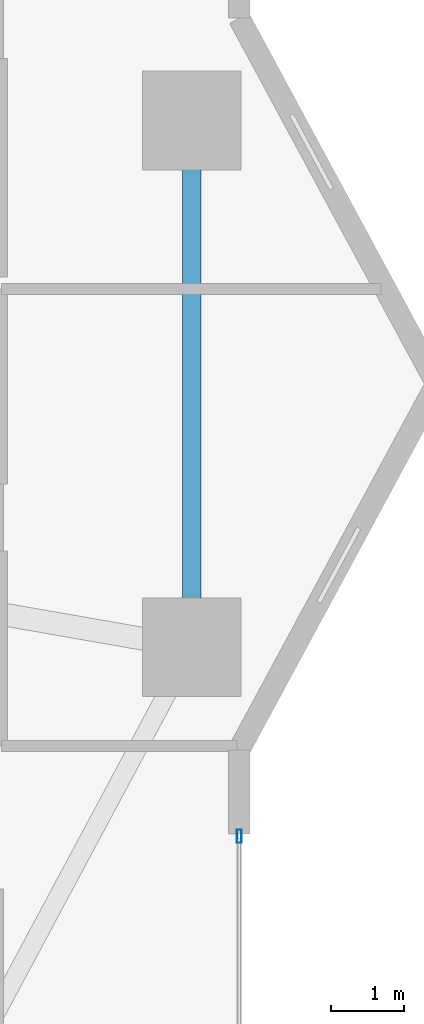
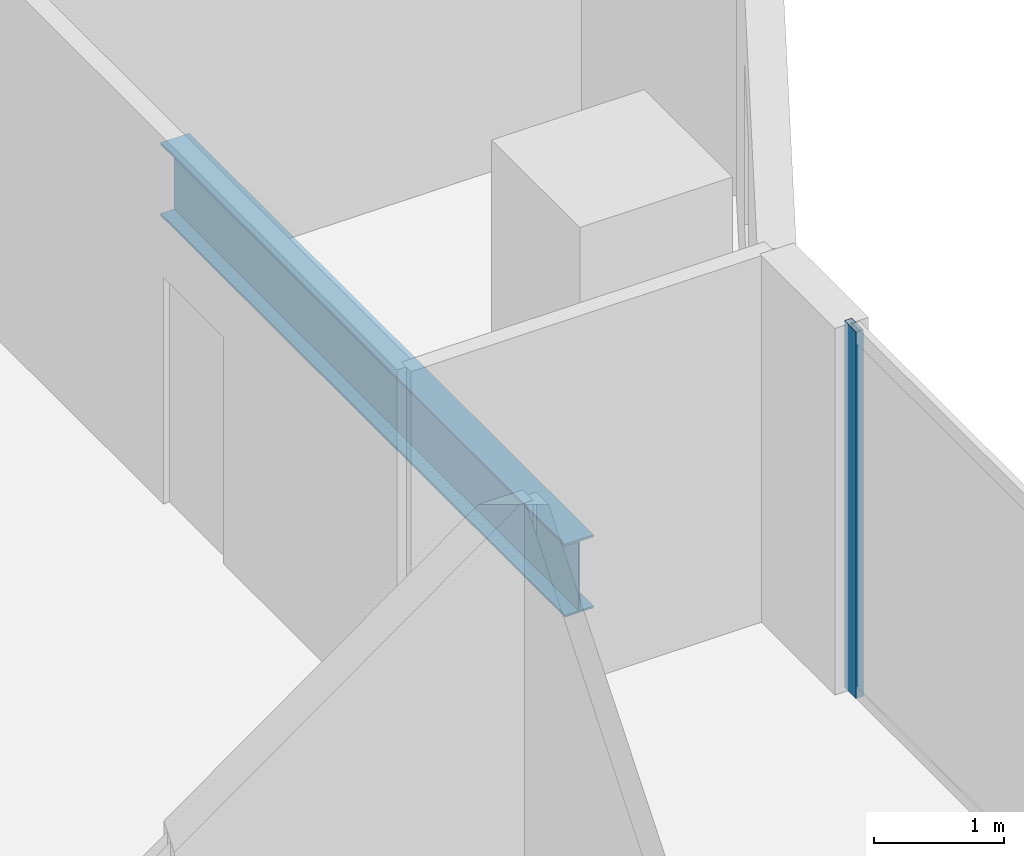
# One storey, part 13 of 28: 1 beam, 1 member, 1 element without a shape of its own.
"""IFC4 building model written with IfcOpenShell, lengths in metres."""

from ifc_helpers import new_model, si_unit, direction, frame, origin, origin_2d, place, context, subcontext, project, spatial, hollow_rectangle, i_section, extrude, material, layer, layer_set, material_profile, profile_set, type_object, element, aggregate, save


model = new_model("IFC4")

# Units and contexts
model_context = context("Model", 3, precision=1e-05, world=origin(), true_north=direction((0.0, 1.0)))
body_context = subcontext(model_context, "Body", "Model", "MODEL_VIEW")
ifc_project = project(units=[si_unit("LENGTHUNIT", "METRE"), si_unit("AREAUNIT", "SQUARE_METRE"), si_unit("VOLUMEUNIT", "CUBIC_METRE"), si_unit("PLANEANGLEUNIT", "RADIAN"), si_unit("MASSUNIT", "GRAM", prefix="KILO")], contexts=[model_context])

# Site, building, storey
site_placement = place(None, origin())
site = spatial("IfcSite", under=ifc_project, at=site_placement, CompositionType="ELEMENT")
building_placement = place(site_placement, origin())
building = spatial("IfcBuilding", under=site, at=building_placement, Name="Zuhayl Quay Hotel", CompositionType="ELEMENT")
storey_placement = place(building_placement, frame((0.0, 0.0, 99.300048828125)))
storey = spatial("IfcBuildingStorey", under=building, at=storey_placement, Name="L24", CompositionType="ELEMENT", Elevation=99.300048828125)

# Beam
ifc_material_1 = material(Name="Steel ASTM A992 Grade 50", Category="steel")
ifc_material_profile_1 = material_profile(ifc_material_1, i_section(OverallWidth=0.25390625, OverallDepth=0.68310546875, WebThickness=0.012451171875, FlangeThickness=0.018798828125, at=origin_2d()), Name="W27X94")
ifc_profile_set_1 = profile_set([ifc_material_profile_1], Name="Steel ASTM A992 Grade 50")
beam_type = type_object("IfcBeamType", Name="BM_B2_W27X94", PredefinedType="BEAM", material=ifc_profile_set_1)
beam_placement = place(storey_placement, frame((23.25, 3.39990234375, -0.5615234375), z_axis=(0.0, 1.0, 0.0), x_axis=(-1.0, 0.0, 0.0)))
element("IfcBeam", 1, at=beam_placement, inside=storey, type_object=beam_type, Name="L24 Floor Beam RG_L24_05", PredefinedType="BEAM", context=body_context, shape_type="SweptSolid", body=[
    extrude(i_section(OverallWidth=0.25390625, OverallDepth=0.68310546875, WebThickness=0.012451171875, FlangeThickness=0.018798828125, at=origin_2d()), origin(), (0.0, 0.0, 1.0), 6.2001953125),
])

# Curtain wall, member
ifc_material_2 = material(Name="Anodised Aluminium 6063-T6", Category="aluminium")
ifc_layer = layer(ifc_material_2, 0.179931640625, Name="Anodised Aluminium 6063-T6", Category="aluminium")
ifc_layer_set = layer_set([ifc_layer], Name="Anodised Aluminium 6063-T6")
curtain_wall_type = type_object("IfcCurtainWallType", Name="CW_SYS_Z2", PredefinedType="USERDEFINED", material=ifc_layer_set)
curtain_wall_placement = place(storey_placement, origin())
curtain_wall = element("IfcCurtainWall", 2, at=curtain_wall_placement, inside=storey, type_object=curtain_wall_type, Name="L24 Curtain Wall ENV_L24_E14_CW1", ObjectType="UNITISED CURTAIN WALL", PredefinedType="USERDEFINED")
ifc_material_3 = material(Name="Black-anodised aluminium 6063-T6", Category="aluminium")
ifc_material_profile_2 = material_profile(ifc_material_3, hollow_rectangle(XDim=0.06494140625, YDim=0.179931640625, WallThickness=0.00341796875, at=origin_2d()), Name="ALU180X65")
ifc_profile_set_2 = profile_set([ifc_material_profile_2], Name="Black-anodised aluminium 6063-T6")
member_type = type_object("IfcMemberType", Name="MB_CW_MUL_180", PredefinedType="MULLION", material=ifc_profile_set_2)
member_placement = place(storey_placement, frame((23.89990234375, 0.3173828125, 0.0), z_axis=(0.0, 0.0, 1.0), x_axis=(1.0, 0.0, 0.0)))
member = element("IfcMember", 3, at=member_placement, type_object=member_type, Name="CW-Z2 mullion 1", PredefinedType="MULLION", context=body_context, shape_type="SweptSolid", body=[
    extrude(hollow_rectangle(XDim=0.06494140625, YDim=0.179931640625, WallThickness=0.00341796875, at=origin_2d()), origin(), (0.0, 0.0, 1.0), 3.429931640625),
])
aggregate(curtain_wall, [member])

save(model, "model.ifc")
